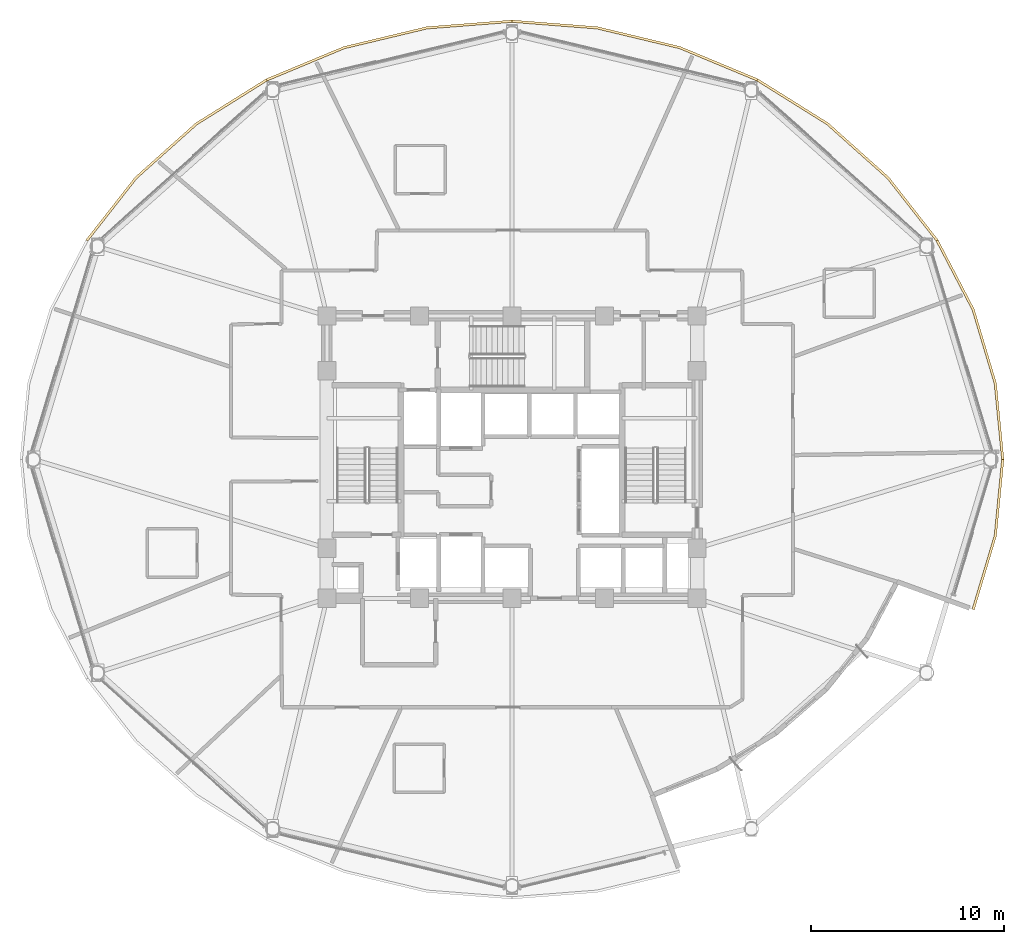
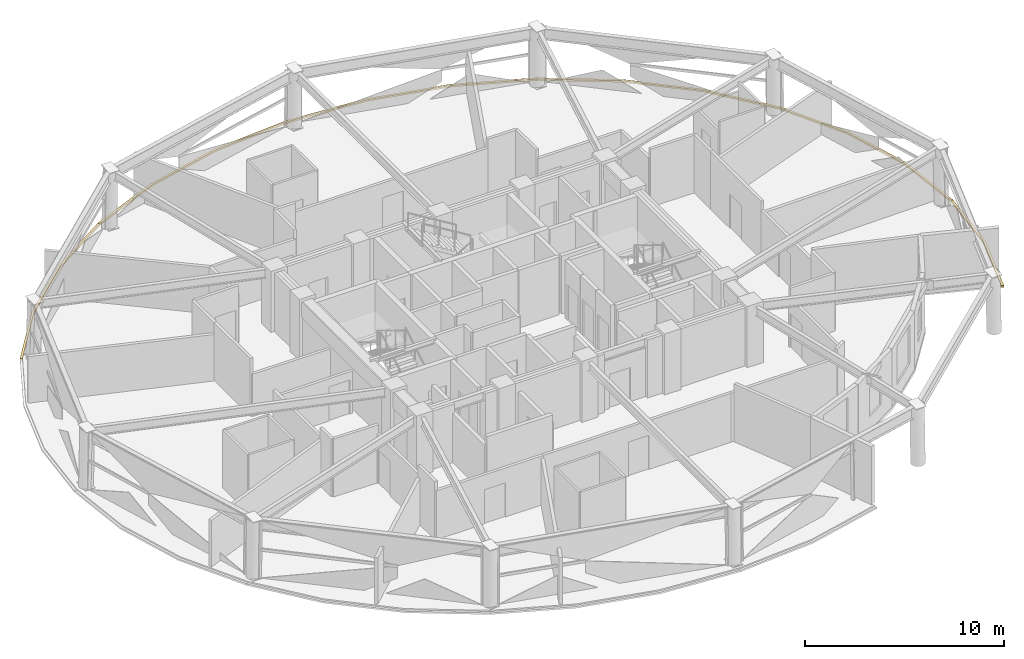
# One storey, part 16 of 16: 6 coverings.
"""IFC4 building model written with IfcOpenShell, lengths in metres."""

from ifc_helpers import new_model, si_unit, direction, frame, origin, place, context, subcontext, project, spatial, polyline, outline, extrude, material, layer, layer_set, type_object, element, save


model = new_model("IFC4")

# Units and contexts
model_context = context("Model", 3, precision=1e-05, world=origin(), true_north=direction((0.0, 1.0)))
body_context = subcontext(model_context, "Body", "Model", "MODEL_VIEW")
ifc_project = project(units=[si_unit("LENGTHUNIT", "METRE"), si_unit("AREAUNIT", "SQUARE_METRE"), si_unit("VOLUMEUNIT", "CUBIC_METRE"), si_unit("PLANEANGLEUNIT", "RADIAN"), si_unit("MASSUNIT", "GRAM", prefix="KILO")], contexts=[model_context])

# Site, building, storey
site_placement = place(None, origin())
site = spatial("IfcSite", under=ifc_project, at=site_placement, CompositionType="ELEMENT")
building_placement = place(site_placement, origin())
building = spatial("IfcBuilding", under=site, at=building_placement, Name="Vantalir Tower", CompositionType="ELEMENT")
storey_placement = place(building_placement, frame((0.0, 0.0, 145.949951171875)))
storey = spatial("IfcBuildingStorey", under=building, at=storey_placement, Name="L36", CompositionType="ELEMENT", Elevation=145.949951171875)

# Coverings
ifc_material = material(Name="Anodised champagne aluminium sill fascia", Category="aluminium")
ifc_layer = layer(ifc_material, 0.125)
ifc_layer_set = layer_set([ifc_layer], Name="Anodised champagne aluminium sill fascia")
covering_type = type_object("IfcCoveringType", Name="COV-SLAB-FASCIA-125", PredefinedType="CLADDING", material=ifc_layer_set)
covering_1_placement = place(storey_placement, frame((0.0, 0.0, -0.179931640625)))
element("IfcCovering", 1, at=covering_1_placement, inside=storey, type_object=covering_type, Name="L36 Perimeter Slab-Edge Sill Fascia 01", PredefinedType="CLADDING", context=body_context, shape_type="SweptSolid", body=[
    extrude(outline(polyline([(57.02001953125, 25.0), (56.632080078125, 28.958984375), (55.48095703125, 32.798095703125), (53.60107421875, 36.39892578125), (53.492919921875, 36.3369140625), (55.363037109375, 32.7548828125), (56.509033203125, 28.93701171875), (56.89501953125, 25.0), (57.02001953125, 25.0)])), origin(), (0.0, 0.0, 1.0), 0.10498046875),
])
covering_2_placement = place(storey_placement, frame((0.0, 0.0, -0.179931640625)))
element("IfcCovering", 2, at=covering_2_placement, inside=storey, type_object=covering_type, Name="L36 Perimeter Slab-Edge Sill Fascia 02", PredefinedType="CLADDING", context=body_context, shape_type="SweptSolid", body=[
    extrude(outline(polyline([(53.60107421875, 36.39892578125), (51.049072265625, 39.655029296875), (47.904052734375, 42.465087890625), (44.260009765625, 44.7451171875), (44.197998046875, 44.635986328125), (47.823974609375, 42.368896484375), (50.9541015625, 39.574951171875), (53.492919921875, 36.3369140625), (53.60107421875, 36.39892578125)])), origin(), (0.0, 0.0, 1.0), 0.10498046875),
])
covering_3_placement = place(storey_placement, frame((0.0, 0.0, -0.179931640625)))
element("IfcCovering", 3, at=covering_3_placement, inside=storey, type_object=covering_type, Name="L36 Perimeter Slab-Edge Sill Fascia 03", PredefinedType="CLADDING", context=body_context, shape_type="SweptSolid", body=[
    extrude(outline(polyline([(44.260009765625, 44.7451171875), (40.22802734375, 46.424072265625), (35.931884765625, 47.452880859375), (31.5, 47.799072265625), (31.5, 47.674072265625), (35.909912109375, 47.330078125), (40.18603515625, 46.306884765625), (44.197998046875, 44.635986328125), (44.260009765625, 44.7451171875)])), origin(), (0.0, 0.0, 1.0), 0.10498046875),
])
covering_4_placement = place(storey_placement, frame((0.0, 0.0, -0.179931640625)))
element("IfcCovering", 4, at=covering_4_placement, inside=storey, type_object=covering_type, Name="L36 Perimeter Slab-Edge Sill Fascia 04", PredefinedType="CLADDING", context=body_context, shape_type="SweptSolid", body=[
    extrude(outline(polyline([(31.5, 47.799072265625), (27.068115234375, 47.452880859375), (22.77197265625, 46.424072265625), (18.739990234375, 44.7451171875), (18.802978515625, 44.635986328125), (22.81396484375, 46.306884765625), (27.090087890625, 47.330078125), (31.5, 47.674072265625), (31.5, 47.799072265625)])), origin(), (0.0, 0.0, 1.0), 0.10498046875),
])
covering_5_placement = place(storey_placement, frame((0.0, 0.0, -0.179931640625)))
element("IfcCovering", 5, at=covering_5_placement, inside=storey, type_object=covering_type, Name="L36 Perimeter Slab-Edge Sill Fascia 05", PredefinedType="CLADDING", context=body_context, shape_type="SweptSolid", body=[
    extrude(outline(polyline([(18.739990234375, 44.7451171875), (15.095947265625, 42.465087890625), (11.950927734375, 39.655029296875), (9.39892578125, 36.39892578125), (9.507080078125, 36.3369140625), (12.0458984375, 39.574951171875), (15.176025390625, 42.368896484375), (18.802978515625, 44.635986328125), (18.739990234375, 44.7451171875)])), origin(), (0.0, 0.0, 1.0), 0.10498046875),
])
covering_6_placement = place(storey_placement, frame((0.0, 0.0, -0.179931640625)))
element("IfcCovering", 6, at=covering_6_placement, inside=storey, type_object=covering_type, Name="L36 Perimeter Slab-Edge Sill Fascia 12", PredefinedType="CLADDING", context=body_context, shape_type="SweptSolid", body=[
    extrude(outline(polyline([(55.48095703125, 17.201904296875), (56.632080078125, 21.041015625), (57.02001953125, 25.0), (56.89501953125, 25.0), (56.509033203125, 21.06298828125), (55.363037109375, 17.2451171875), (55.48095703125, 17.201904296875)])), origin(), (0.0, 0.0, 1.0), 0.10498046875),
])

save(model, "model.ifc")
